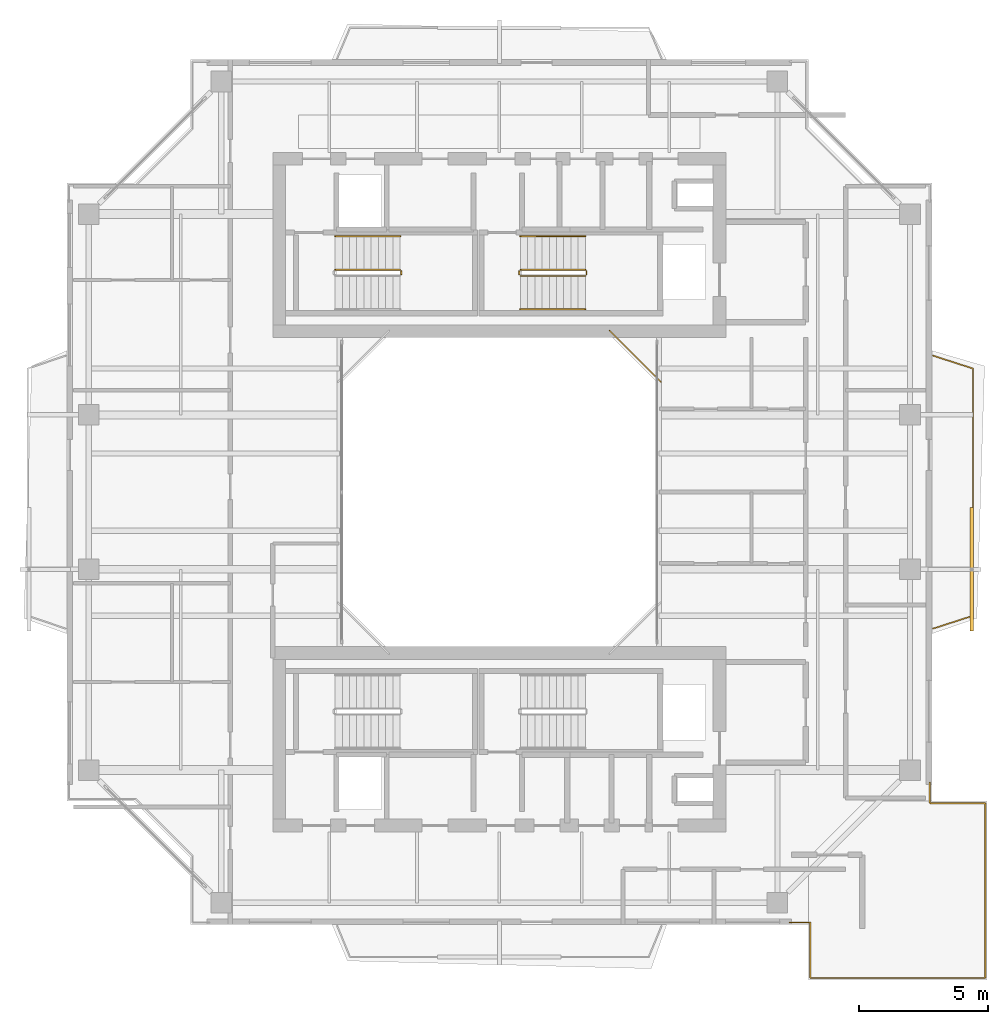
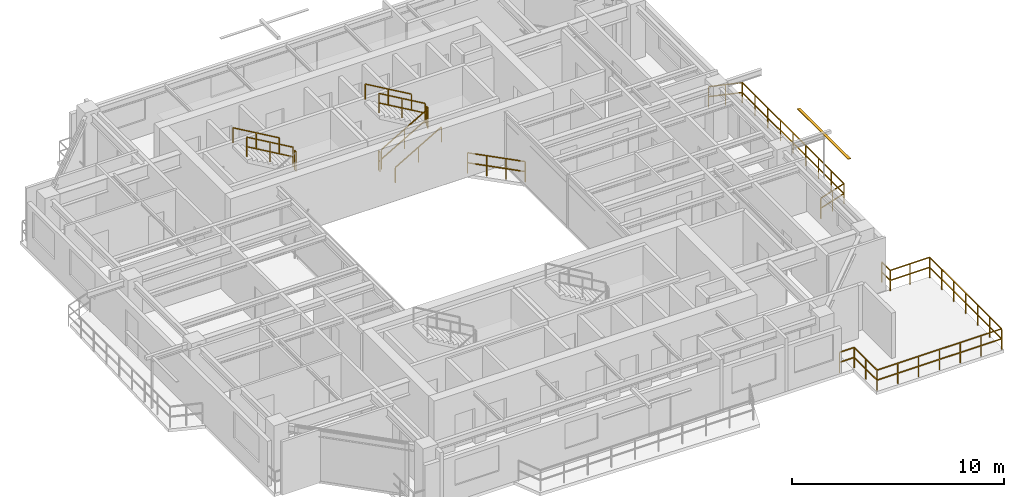
# One storey, part 15 of 16: 12 railings, 1 shading device.
"""IFC4 building model written with IfcOpenShell, lengths in metres."""

from ifc_helpers import new_model, si_unit, direction, frame, origin, origin_2d, place, context, subcontext, project, spatial, rectangle, extrude, source, transform, mapped, material, material_profile, profile_set, type_object, element, save


model = new_model("IFC4")

# Units and contexts
model_context = context("Model", 3, precision=1e-05, world=origin(), true_north=direction((0.0, 1.0)))
body_context = subcontext(model_context, "Body", "Model", "MODEL_VIEW")
ifc_project = project(units=[si_unit("LENGTHUNIT", "METRE"), si_unit("AREAUNIT", "SQUARE_METRE"), si_unit("VOLUMEUNIT", "CUBIC_METRE"), si_unit("PLANEANGLEUNIT", "RADIAN"), si_unit("MASSUNIT", "GRAM", prefix="KILO"), si_unit("THERMODYNAMICTEMPERATUREUNIT", "KELVIN"), si_unit("POWERUNIT", "WATT")], contexts=[model_context])

# Site, building, storey
site_placement = place(None, origin())
site = spatial("IfcSite", under=ifc_project, at=site_placement, CompositionType="ELEMENT")
building_placement = place(site_placement, origin())
building = spatial("IfcBuilding", under=site, at=building_placement, Name="Qiaomeng Ring Towers", CompositionType="ELEMENT")
storey_placement = place(building_placement, frame((0.0, 0.0, 203.5)))
storey = spatial("IfcBuildingStorey", under=building, at=storey_placement, Name="L59", CompositionType="ELEMENT", Elevation=203.5)

# Railings
ifc_material_1 = material(Name="Low-E pale-green laminated safety glass", Category="glass")
railing_type_1 = type_object("IfcRailingType", Name="ARC-RL-BAL1", PredefinedType="BALUSTRADE", material=ifc_material_1)
railing_1_placement = place(storey_placement, frame((25.280029296875, 27.280029296875, 0.0)))
element("IfcRailing", 1, at=railing_1_placement, inside=storey, type_object=railing_type_1, Name="L59 Balustrade ARC-BAL-WELL1-L59-2", PredefinedType="BALUSTRADE", context=body_context, shape_type="SweptSolid", body=[
    extrude(rectangle(XDim=0.048095703125, YDim=0.048095703125, at=origin_2d()), frame((0.0, 0.0, 1.17578125), z_axis=(-0.707106781187, 0.707106781187, 0.0), x_axis=(-0.707106781187, -0.707106781187, 0.0)), (0.0, 0.0, 1.0), 2.828369140625),
    extrude(rectangle(XDim=0.048095703125, YDim=0.048095703125, at=origin_2d()), frame((0.0, 0.0, 0.60009765625), z_axis=(-0.707106781187, 0.707106781187, 0.0), x_axis=(-0.707106781187, -0.707106781187, 0.0)), (0.0, 0.0, 1.0), 2.828369140625),
    extrude(rectangle(XDim=0.0419921875, YDim=0.0419921875, at=origin_2d()), origin(), (0.0, 0.0, 1.0), 1.15185546875),
    extrude(rectangle(XDim=0.0419921875, YDim=0.0419921875, at=origin_2d()), frame((-0.666748046875, 0.666748046875, 0.0)), (0.0, 0.0, 1.0), 1.15185546875),
    extrude(rectangle(XDim=0.0419921875, YDim=0.0419921875, at=origin_2d()), frame((-1.333251953125, 1.333251953125, 0.0)), (0.0, 0.0, 1.0), 1.15185546875),
    extrude(rectangle(XDim=0.0419921875, YDim=0.0419921875, at=origin_2d()), frame((-2.0, 2.0, 0.0)), (0.0, 0.0, 1.0), 1.15185546875),
])
railing_2_placement = place(storey_placement, frame((30.280029296875, 6.280029296875, 0.0)))
element("IfcRailing", 2, at=railing_2_placement, inside=storey, type_object=railing_type_1, Name="L59 Balustrade ARC-BAL-L59-SPIRAL-SE", PredefinedType="BALUSTRADE", context=body_context, shape_type="SweptSolid", body=[
    extrude(rectangle(XDim=0.048095703125, YDim=0.048095703125, at=origin_2d()), frame((0.0, 0.0, 1.17578125), z_axis=(1.0, 0.0, 0.0), x_axis=(0.0, 1.0, 0.0)), (0.0, 0.0, 1.0), 0.800048828125),
    extrude(rectangle(XDim=0.048095703125, YDim=0.048095703125, at=origin_2d()), frame((0.0, 0.0, 0.60009765625), z_axis=(1.0, 0.0, 0.0), x_axis=(0.0, 1.0, 0.0)), (0.0, 0.0, 1.0), 0.800048828125),
    extrude(rectangle(XDim=0.048095703125, YDim=0.048095703125, at=origin_2d()), frame((0.800048828125, 0.0, 1.17578125), z_axis=(0.0, -1.0, 0.0), x_axis=(1.0, 0.0, 0.0)), (0.0, 0.0, 1.0), 2.150146484375),
    extrude(rectangle(XDim=0.048095703125, YDim=0.048095703125, at=origin_2d()), frame((0.800048828125, 0.0, 0.60009765625), z_axis=(0.0, -1.0, 0.0), x_axis=(1.0, 0.0, 0.0)), (0.0, 0.0, 1.0), 2.150146484375),
    extrude(rectangle(XDim=0.048095703125, YDim=0.048095703125, at=origin_2d()), frame((0.800048828125, -2.150146484375, 1.17578125), z_axis=(1.0, 0.0, 0.0), x_axis=(0.0, 1.0, 0.0)), (0.0, 0.0, 1.0), 6.7900390625),
    extrude(rectangle(XDim=0.048095703125, YDim=0.048095703125, at=origin_2d()), frame((0.800048828125, -2.150146484375, 0.60009765625), z_axis=(1.0, 0.0, 0.0), x_axis=(0.0, 1.0, 0.0)), (0.0, 0.0, 1.0), 6.7900390625),
    extrude(rectangle(XDim=0.048095703125, YDim=0.048095703125, at=origin_2d()), frame((7.590087890625, -2.150146484375, 1.17578125), z_axis=(0.0, 1.0, 0.0), x_axis=(-1.0, 0.0, 0.0)), (0.0, 0.0, 1.0), 6.7900390625),
    extrude(rectangle(XDim=0.048095703125, YDim=0.048095703125, at=origin_2d()), frame((7.590087890625, -2.150146484375, 0.60009765625), z_axis=(0.0, 1.0, 0.0), x_axis=(-1.0, 0.0, 0.0)), (0.0, 0.0, 1.0), 6.7900390625),
    extrude(rectangle(XDim=0.048095703125, YDim=0.048095703125, at=origin_2d()), frame((7.590087890625, 4.639892578125, 1.17578125), z_axis=(-1.0, 0.0, 0.0), x_axis=(0.0, -1.0, 0.0)), (0.0, 0.0, 1.0), 2.150146484375),
    extrude(rectangle(XDim=0.048095703125, YDim=0.048095703125, at=origin_2d()), frame((7.590087890625, 4.639892578125, 0.60009765625), z_axis=(-1.0, 0.0, 0.0), x_axis=(0.0, -1.0, 0.0)), (0.0, 0.0, 1.0), 2.150146484375),
    extrude(rectangle(XDim=0.048095703125, YDim=0.048095703125, at=origin_2d()), frame((5.43994140625, 4.639892578125, 1.17578125), z_axis=(0.0, 1.0, 0.0), x_axis=(-1.0, 0.0, 0.0)), (0.0, 0.0, 1.0), 0.800048828125),
    extrude(rectangle(XDim=0.048095703125, YDim=0.048095703125, at=origin_2d()), frame((5.43994140625, 4.639892578125, 0.60009765625), z_axis=(0.0, 1.0, 0.0), x_axis=(-1.0, 0.0, 0.0)), (0.0, 0.0, 1.0), 0.800048828125),
    extrude(rectangle(XDim=0.0419921875, YDim=0.0419921875, at=origin_2d()), origin(), (0.0, 0.0, 1.0), 1.15185546875),
    extrude(rectangle(XDim=0.0419921875, YDim=0.0419921875, at=origin_2d()), frame((0.800048828125, 0.0, 0.0)), (0.0, 0.0, 1.0), 1.15185546875),
    extrude(rectangle(XDim=0.0419921875, YDim=0.0419921875, at=origin_2d()), frame((0.800048828125, -1.0751953125, 0.0)), (0.0, 0.0, 1.0), 1.15185546875),
    extrude(rectangle(XDim=0.0419921875, YDim=0.0419921875, at=origin_2d()), frame((0.800048828125, -2.150146484375, 0.0)), (0.0, 0.0, 1.0), 1.15185546875),
    extrude(rectangle(XDim=0.0419921875, YDim=0.0419921875, at=origin_2d()), frame((1.931640625, -2.150146484375, 0.0)), (0.0, 0.0, 1.0), 1.15185546875),
    extrude(rectangle(XDim=0.0419921875, YDim=0.0419921875, at=origin_2d()), frame((3.0634765625, -2.150146484375, 0.0)), (0.0, 0.0, 1.0), 1.15185546875),
    extrude(rectangle(XDim=0.0419921875, YDim=0.0419921875, at=origin_2d()), frame((4.195068359375, -2.150146484375, 0.0)), (0.0, 0.0, 1.0), 1.15185546875),
    extrude(rectangle(XDim=0.0419921875, YDim=0.0419921875, at=origin_2d()), frame((5.32666015625, -2.150146484375, 0.0)), (0.0, 0.0, 1.0), 1.15185546875),
    extrude(rectangle(XDim=0.0419921875, YDim=0.0419921875, at=origin_2d()), frame((6.45849609375, -2.150146484375, 0.0)), (0.0, 0.0, 1.0), 1.15185546875),
    extrude(rectangle(XDim=0.0419921875, YDim=0.0419921875, at=origin_2d()), frame((7.590087890625, -2.150146484375, 0.0)), (0.0, 0.0, 1.0), 1.15185546875),
    extrude(rectangle(XDim=0.0419921875, YDim=0.0419921875, at=origin_2d()), frame((7.590087890625, -1.0185546875, 0.0)), (0.0, 0.0, 1.0), 1.15185546875),
    extrude(rectangle(XDim=0.0419921875, YDim=0.0419921875, at=origin_2d()), frame((7.590087890625, 0.11328125, 0.0)), (0.0, 0.0, 1.0), 1.15185546875),
    extrude(rectangle(XDim=0.0419921875, YDim=0.0419921875, at=origin_2d()), frame((7.590087890625, 1.244873046875, 0.0)), (0.0, 0.0, 1.0), 1.15185546875),
    extrude(rectangle(XDim=0.0419921875, YDim=0.0419921875, at=origin_2d()), frame((7.590087890625, 2.37646484375, 0.0)), (0.0, 0.0, 1.0), 1.15185546875),
    extrude(rectangle(XDim=0.0419921875, YDim=0.0419921875, at=origin_2d()), frame((7.590087890625, 3.50830078125, 0.0)), (0.0, 0.0, 1.0), 1.15185546875),
    extrude(rectangle(XDim=0.0419921875, YDim=0.0419921875, at=origin_2d()), frame((7.590087890625, 4.639892578125, 0.0)), (0.0, 0.0, 1.0), 1.15185546875),
    extrude(rectangle(XDim=0.0419921875, YDim=0.0419921875, at=origin_2d()), frame((6.51513671875, 4.639892578125, 0.0)), (0.0, 0.0, 1.0), 1.15185546875),
    extrude(rectangle(XDim=0.0419921875, YDim=0.0419921875, at=origin_2d()), frame((5.43994140625, 4.639892578125, 0.0)), (0.0, 0.0, 1.0), 1.15185546875),
    extrude(rectangle(XDim=0.0419921875, YDim=0.0419921875, at=origin_2d()), frame((5.43994140625, 5.43994140625, 0.0)), (0.0, 0.0, 1.0), 1.15185546875),
])
railing_3_placement = place(storey_placement, frame((35.85009765625, 17.699951171875, 0.0)))
element("IfcRailing", 3, at=railing_3_placement, inside=storey, type_object=railing_type_1, Name="L59 Balustrade ARC-BAL-L59-T1-E", PredefinedType="BALUSTRADE", context=body_context, shape_type="SweptSolid", body=[
    extrude(rectangle(XDim=0.048095703125, YDim=0.048095703125, at=origin_2d()), frame((0.0, 0.0, 1.17578125), z_axis=(0.951697313001, 0.307037822468, 0.0), x_axis=(-0.307037822468, 0.951697313001, 0.0)), (0.0, 0.0, 1.0), 1.62841796875),
    extrude(rectangle(XDim=0.048095703125, YDim=0.048095703125, at=origin_2d()), frame((0.0, 0.0, 0.60009765625), z_axis=(0.951697313001, 0.307037822468, 0.0), x_axis=(-0.307037822468, 0.951697313001, 0.0)), (0.0, 0.0, 1.0), 1.62841796875),
    extrude(rectangle(XDim=0.048095703125, YDim=0.048095703125, at=origin_2d()), frame((1.5498046875, 0.5, 1.17578125), z_axis=(0.0, 1.0, 0.0), x_axis=(-1.0, 0.0, 0.0)), (0.0, 0.0, 1.0), 9.60009765625),
    extrude(rectangle(XDim=0.048095703125, YDim=0.048095703125, at=origin_2d()), frame((1.5498046875, 0.5, 0.60009765625), z_axis=(0.0, 1.0, 0.0), x_axis=(-1.0, 0.0, 0.0)), (0.0, 0.0, 1.0), 9.60009765625),
    extrude(rectangle(XDim=0.048095703125, YDim=0.048095703125, at=origin_2d()), frame((1.5498046875, 10.10009765625, 1.17578125), z_axis=(-0.951697313001, 0.307037822468, 0.0), x_axis=(-0.307037822468, -0.951697313001, 0.0)), (0.0, 0.0, 1.0), 1.62841796875),
    extrude(rectangle(XDim=0.048095703125, YDim=0.048095703125, at=origin_2d()), frame((1.5498046875, 10.10009765625, 0.60009765625), z_axis=(-0.951697313001, 0.307037822468, 0.0), x_axis=(-0.307037822468, -0.951697313001, 0.0)), (0.0, 0.0, 1.0), 1.62841796875),
    extrude(rectangle(XDim=0.0419921875, YDim=0.0419921875, at=origin_2d()), origin(), (0.0, 0.0, 1.0), 1.15185546875),
    extrude(rectangle(XDim=0.0419921875, YDim=0.0419921875, at=origin_2d()), frame((0.77490234375, 0.25, 0.0)), (0.0, 0.0, 1.0), 1.15185546875),
    extrude(rectangle(XDim=0.0419921875, YDim=0.0419921875, at=origin_2d()), frame((1.5498046875, 0.5, 0.0)), (0.0, 0.0, 1.0), 1.15185546875),
    extrude(rectangle(XDim=0.0419921875, YDim=0.0419921875, at=origin_2d()), frame((1.5498046875, 1.699951171875, 0.0)), (0.0, 0.0, 1.0), 1.15185546875),
    extrude(rectangle(XDim=0.0419921875, YDim=0.0419921875, at=origin_2d()), frame((1.5498046875, 2.89990234375, 0.0)), (0.0, 0.0, 1.0), 1.15185546875),
    extrude(rectangle(XDim=0.0419921875, YDim=0.0419921875, at=origin_2d()), frame((1.5498046875, 4.10009765625, 0.0)), (0.0, 0.0, 1.0), 1.15185546875),
    extrude(rectangle(XDim=0.0419921875, YDim=0.0419921875, at=origin_2d()), frame((1.5498046875, 5.300048828125, 0.0)), (0.0, 0.0, 1.0), 1.15185546875),
    extrude(rectangle(XDim=0.0419921875, YDim=0.0419921875, at=origin_2d()), frame((1.5498046875, 6.5, 0.0)), (0.0, 0.0, 1.0), 1.15185546875),
    extrude(rectangle(XDim=0.0419921875, YDim=0.0419921875, at=origin_2d()), frame((1.5498046875, 7.7001953125, 0.0)), (0.0, 0.0, 1.0), 1.15185546875),
    extrude(rectangle(XDim=0.0419921875, YDim=0.0419921875, at=origin_2d()), frame((1.5498046875, 8.900146484375, 0.0)), (0.0, 0.0, 1.0), 1.15185546875),
    extrude(rectangle(XDim=0.0419921875, YDim=0.0419921875, at=origin_2d()), frame((1.5498046875, 10.10009765625, 0.0)), (0.0, 0.0, 1.0), 1.15185546875),
    extrude(rectangle(XDim=0.0419921875, YDim=0.0419921875, at=origin_2d()), frame((0.77490234375, 10.35009765625, 0.0)), (0.0, 0.0, 1.0), 1.15185546875),
    extrude(rectangle(XDim=0.0419921875, YDim=0.0419921875, at=origin_2d()), frame((0.0, 10.60009765625, 0.0)), (0.0, 0.0, 1.0), 1.15185546875),
])
ifc_material_2 = material(Name="Galvanised steel", Category="steel")
railing_type_2 = type_object("IfcRailingType", Name="ARC-RL-GUARD", PredefinedType="GUARDRAIL", material=ifc_material_2)
railing_4_placement = place(storey_placement, frame((15.18994140625, 31.449951171875, 1.625)))
element("IfcRailing", 4, at=railing_4_placement, inside=storey, type_object=railing_type_2, Name="L59 ST1 stair guard 2", PredefinedType="GUARDRAIL", context=body_context, shape_type="SweptSolid", body=[
    extrude(rectangle(XDim=0.048095703125, YDim=0.048095703125, at=origin_2d()), frame((0.0, 0.0, 1.1259765625), z_axis=(0.0, 1.0, 0.0), x_axis=(-1.0, 0.0, 0.0)), (0.0, 0.0, 1.0), 0.14013671875),
    extrude(rectangle(XDim=0.048095703125, YDim=0.048095703125, at=origin_2d()), frame((0.0, 0.0, 0.574951171875), z_axis=(0.0, 1.0, 0.0), x_axis=(-1.0, 0.0, 0.0)), (0.0, 0.0, 1.0), 0.14013671875),
    extrude(rectangle(XDim=0.0419921875, YDim=0.0419921875, at=origin_2d()), origin(), (0.0, 0.0, 1.0), 1.101806640625),
    extrude(rectangle(XDim=0.0419921875, YDim=0.0419921875, at=origin_2d()), frame((0.0, 0.14013671875, 0.0)), (0.0, 0.0, 1.0), 1.101806640625),
])
railing_5_placement = place(storey_placement, frame((15.139892578125, 31.639892578125, 1.78759765625)))
element("IfcRailing", 5, at=railing_5_placement, inside=storey, type_object=railing_type_2, Name="L59 ST1 stair guard 3", PredefinedType="GUARDRAIL", context=body_context, shape_type="SweptSolid", body=[
    extrude(rectangle(XDim=0.048095703125, YDim=0.048095703125, at=origin_2d()), frame((0.0, 0.0, 1.1259765625), z_axis=(-0.864892226395, 0.0, 0.501957604506), x_axis=(0.0, -1.0, 0.0)), (0.0, 0.0, 1.0), 2.913330078125),
    extrude(rectangle(XDim=0.048095703125, YDim=0.048095703125, at=origin_2d()), frame((0.0, 0.0, 0.574951171875), z_axis=(-0.864892226395, 0.0, 0.501957604506), x_axis=(0.0, -1.0, 0.0)), (0.0, 0.0, 1.0), 2.913330078125),
    extrude(rectangle(XDim=0.0419921875, YDim=0.0419921875, at=origin_2d()), origin(), (0.0, 0.0, 1.0), 1.101806640625),
    extrude(rectangle(XDim=0.0419921875, YDim=0.0419921875, at=origin_2d()), frame((-1.259765625, 0.0, 0.731201171875)), (0.0, 0.0, 1.0), 1.101806640625),
    extrude(rectangle(XDim=0.0419921875, YDim=0.0419921875, at=origin_2d()), frame((-2.519775390625, 0.0, 1.46240234375)), (0.0, 0.0, 1.0), 1.101806640625),
])
railing_6_placement = place(storey_placement, frame((19.820068359375, 31.39990234375, 0.16259765625)))
element("IfcRailing", 6, at=railing_6_placement, inside=storey, type_object=railing_type_2, Name="L59 ST2 stair guard 1", PredefinedType="GUARDRAIL", context=body_context, shape_type="SweptSolid", body=[
    extrude(rectangle(XDim=0.048095703125, YDim=0.048095703125, at=origin_2d()), frame((0.0, 0.0, 1.1259765625), z_axis=(0.864913338283, 0.0, 0.50192122615), x_axis=(0.0, 1.0, 0.0)), (0.0, 0.0, 1.0), 2.91357421875),
    extrude(rectangle(XDim=0.048095703125, YDim=0.048095703125, at=origin_2d()), frame((0.0, 0.0, 0.574951171875), z_axis=(0.864913338283, 0.0, 0.50192122615), x_axis=(0.0, 1.0, 0.0)), (0.0, 0.0, 1.0), 2.91357421875),
    extrude(rectangle(XDim=0.0419921875, YDim=0.0419921875, at=origin_2d()), origin(), (0.0, 0.0, 1.0), 1.101806640625),
    extrude(rectangle(XDim=0.0419921875, YDim=0.0419921875, at=origin_2d()), frame((1.260009765625, 0.0, 0.731201171875)), (0.0, 0.0, 1.0), 1.101806640625),
    extrude(rectangle(XDim=0.0419921875, YDim=0.0419921875, at=origin_2d()), frame((2.52001953125, 0.0, 1.46240234375)), (0.0, 0.0, 1.0), 1.101806640625),
])
railing_7_placement = place(storey_placement, frame((22.389892578125, 31.449951171875, 1.625)))
element("IfcRailing", 7, at=railing_7_placement, inside=storey, type_object=railing_type_2, Name="L59 ST2 stair guard 2", PredefinedType="GUARDRAIL", context=body_context, shape_type="SweptSolid", body=[
    extrude(rectangle(XDim=0.048095703125, YDim=0.048095703125, at=origin_2d()), frame((0.0, 0.0, 1.1259765625), z_axis=(0.0, 1.0, 0.0), x_axis=(-1.0, 0.0, 0.0)), (0.0, 0.0, 1.0), 0.14013671875),
    extrude(rectangle(XDim=0.048095703125, YDim=0.048095703125, at=origin_2d()), frame((0.0, 0.0, 0.574951171875), z_axis=(0.0, 1.0, 0.0), x_axis=(-1.0, 0.0, 0.0)), (0.0, 0.0, 1.0), 0.14013671875),
    extrude(rectangle(XDim=0.0419921875, YDim=0.0419921875, at=origin_2d()), origin(), (0.0, 0.0, 1.0), 1.101806640625),
    extrude(rectangle(XDim=0.0419921875, YDim=0.0419921875, at=origin_2d()), frame((0.0, 0.14013671875, 0.0)), (0.0, 0.0, 1.0), 1.101806640625),
])
railing_8_placement = place(storey_placement, frame((22.340087890625, 31.639892578125, 1.78759765625)))
element("IfcRailing", 8, at=railing_8_placement, inside=storey, type_object=railing_type_2, Name="L59 ST2 stair guard 3", PredefinedType="GUARDRAIL", context=body_context, shape_type="SweptSolid", body=[
    extrude(rectangle(XDim=0.048095703125, YDim=0.048095703125, at=origin_2d()), frame((0.0, 0.0, 1.1259765625), z_axis=(-0.864913338283, 0.0, 0.50192122615), x_axis=(0.0, -1.0, 0.0)), (0.0, 0.0, 1.0), 2.91357421875),
    extrude(rectangle(XDim=0.048095703125, YDim=0.048095703125, at=origin_2d()), frame((0.0, 0.0, 0.574951171875), z_axis=(-0.864913338283, 0.0, 0.50192122615), x_axis=(0.0, -1.0, 0.0)), (0.0, 0.0, 1.0), 2.91357421875),
    extrude(rectangle(XDim=0.0419921875, YDim=0.0419921875, at=origin_2d()), origin(), (0.0, 0.0, 1.0), 1.101806640625),
    extrude(rectangle(XDim=0.0419921875, YDim=0.0419921875, at=origin_2d()), frame((-1.260009765625, 0.0, 0.731201171875)), (0.0, 0.0, 1.0), 1.101806640625),
    extrude(rectangle(XDim=0.0419921875, YDim=0.0419921875, at=origin_2d()), frame((-2.52001953125, 0.0, 1.46240234375)), (0.0, 0.0, 1.0), 1.101806640625),
])
railing_9_placement = place(storey_placement, frame((19.77001953125, 31.449951171875, 0.0)))
element("IfcRailing", 9, at=railing_9_placement, inside=storey, type_object=railing_type_2, Name="L59 ST2 stair guard 4", PredefinedType="GUARDRAIL", context=body_context, shape_type="SweptSolid", body=[
    extrude(rectangle(XDim=0.048095703125, YDim=0.048095703125, at=origin_2d()), frame((0.0, 0.0, 1.1259765625), z_axis=(0.0, 1.0, 0.0), x_axis=(-1.0, 0.0, 0.0)), (0.0, 0.0, 1.0), 0.14013671875),
    extrude(rectangle(XDim=0.048095703125, YDim=0.048095703125, at=origin_2d()), frame((0.0, 0.0, 0.574951171875), z_axis=(0.0, 1.0, 0.0), x_axis=(-1.0, 0.0, 0.0)), (0.0, 0.0, 1.0), 0.14013671875),
    extrude(rectangle(XDim=0.0419921875, YDim=0.0419921875, at=origin_2d()), origin(), (0.0, 0.0, 1.0), 1.101806640625),
    extrude(rectangle(XDim=0.0419921875, YDim=0.0419921875, at=origin_2d()), frame((0.0, 0.14013671875, 0.0)), (0.0, 0.0, 1.0), 1.101806640625),
])
ifc_material_3 = material(Name="Stainless steel 316", Category="steel")
railing_type_3 = type_object("IfcRailingType", Name="ARC-RL-HAND", PredefinedType="HANDRAIL", material=ifc_material_3)
railing_10_placement = place(storey_placement, frame((15.139892578125, 32.93994140625, 1.78759765625)))
element("IfcRailing", 10, at=railing_10_placement, inside=storey, type_object=railing_type_3, Name="L59 ST1 stair handrail 2", PredefinedType="HANDRAIL", context=body_context, shape_type="SweptSolid", body=[
    extrude(rectangle(XDim=0.048095703125, YDim=0.048095703125, at=origin_2d()), frame((0.0, 0.0, 0.8759765625), z_axis=(-0.864892226395, 0.0, 0.501957604506), x_axis=(0.0, -1.0, 0.0)), (0.0, 0.0, 1.0), 2.913330078125),
    extrude(rectangle(XDim=0.0419921875, YDim=0.0419921875, at=origin_2d()), origin(), (0.0, 0.0, 1.0), 0.851806640625),
    extrude(rectangle(XDim=0.0419921875, YDim=0.0419921875, at=origin_2d()), frame((-1.259765625, 0.0, 0.731201171875)), (0.0, 0.0, 1.0), 0.851806640625),
    extrude(rectangle(XDim=0.0419921875, YDim=0.0419921875, at=origin_2d()), frame((-2.519775390625, 0.0, 1.46240234375)), (0.0, 0.0, 1.0), 0.851806640625),
])
railing_11_placement = place(storey_placement, frame((19.820068359375, 30.10009765625, 0.16259765625)))
element("IfcRailing", 11, at=railing_11_placement, inside=storey, type_object=railing_type_3, Name="L59 ST2 stair handrail 1", PredefinedType="HANDRAIL", context=body_context, shape_type="SweptSolid", body=[
    extrude(rectangle(XDim=0.048095703125, YDim=0.048095703125, at=origin_2d()), frame((0.0, 0.0, 0.8759765625), z_axis=(0.864913338283, 0.0, 0.50192122615), x_axis=(0.0, 1.0, 0.0)), (0.0, 0.0, 1.0), 2.91357421875),
    extrude(rectangle(XDim=0.0419921875, YDim=0.0419921875, at=origin_2d()), origin(), (0.0, 0.0, 1.0), 0.851806640625),
    extrude(rectangle(XDim=0.0419921875, YDim=0.0419921875, at=origin_2d()), frame((1.260009765625, 0.0, 0.731201171875)), (0.0, 0.0, 1.0), 0.851806640625),
    extrude(rectangle(XDim=0.0419921875, YDim=0.0419921875, at=origin_2d()), frame((2.52001953125, 0.0, 1.46240234375)), (0.0, 0.0, 1.0), 0.851806640625),
])
railing_12_placement = place(storey_placement, frame((22.340087890625, 32.93994140625, 1.78759765625)))
element("IfcRailing", 12, at=railing_12_placement, inside=storey, type_object=railing_type_3, Name="L59 ST2 stair handrail 2", PredefinedType="HANDRAIL", context=body_context, shape_type="SweptSolid", body=[
    extrude(rectangle(XDim=0.048095703125, YDim=0.048095703125, at=origin_2d()), frame((0.0, 0.0, 0.8759765625), z_axis=(-0.864913338283, 0.0, 0.50192122615), x_axis=(0.0, -1.0, 0.0)), (0.0, 0.0, 1.0), 2.91357421875),
    extrude(rectangle(XDim=0.0419921875, YDim=0.0419921875, at=origin_2d()), origin(), (0.0, 0.0, 1.0), 0.851806640625),
    extrude(rectangle(XDim=0.0419921875, YDim=0.0419921875, at=origin_2d()), frame((-1.260009765625, 0.0, 0.731201171875)), (0.0, 0.0, 1.0), 0.851806640625),
    extrude(rectangle(XDim=0.0419921875, YDim=0.0419921875, at=origin_2d()), frame((-2.52001953125, 0.0, 1.46240234375)), (0.0, 0.0, 1.0), 0.851806640625),
])

# Shading device
ifc_material_4 = material(Name="Fluorocarbon dark-grey aluminium", Category="aluminium")
ifc_material_profile = material_profile(ifc_material_4, rectangle(XDim=0.14990234375, YDim=0.034912109375, at=origin_2d()), Name="LV BLADE 150x35")
ifc_profile_set = profile_set([ifc_material_profile], Name="Fluorocarbon dark-grey aluminium")
shading_device_type = type_object("IfcShadingDeviceType", Name="ARC-SHD-SUN", PredefinedType="AWNING", material=ifc_profile_set)
shared_shape = source(origin(), body_context, "Body", "SweptSolid", [
    extrude(rectangle(XDim=0.14990234375, YDim=0.034912109375, at=origin_2d()), origin(), (0.0, 0.0, 1.0), 4.7998046875),
])
shading_device_placement = place(storey_placement, frame((37.35009765625, 17.60009765625, 2.969970703125), z_axis=(0.0, 1.0, 0.0), x_axis=(-1.0, 0.0, 0.0)))
element("IfcShadingDevice", 13, at=shading_device_placement, inside=storey, type_object=shading_device_type, Name="L59 Ventilated Outer-Skin Sunshade E", PredefinedType="AWNING", context=body_context, shape_type="MappedRepresentation", body=[
    mapped(shared_shape, transform((0.0, 0.0, 0.0), x_axis=(1.0, 0.0, 0.0), y_axis=(0.0, 1.0, 0.0), z_axis=(0.0, 0.0, 1.0), scale=1.0)),
])

save(model, "model.ifc")
